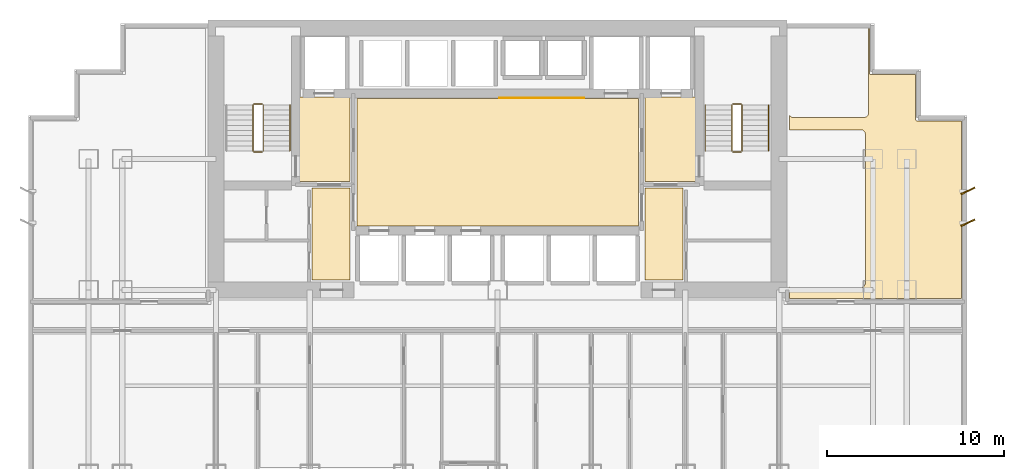
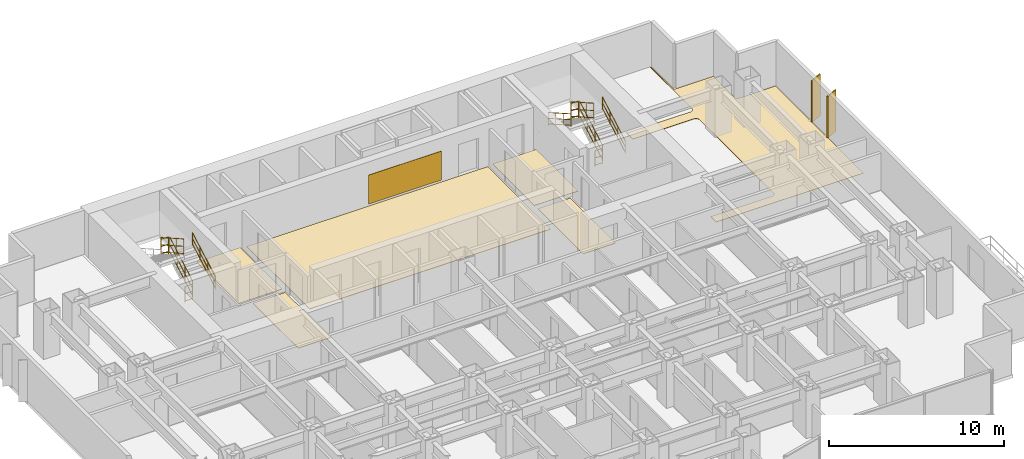
# One storey, part 10 of 10: 11 railings, 7 coverings, 2 shading devices.
"""IFC4 building model written with IfcOpenShell, lengths in metres."""

from ifc_helpers import new_model, si_unit, direction, frame, origin, origin_2d, place, context, subcontext, project, spatial, polyline, rectangle, circle, outline, extrude, source, transform, mapped, material, layer, layer_set, type_object, element, save


model = new_model("IFC4")

# Units and contexts
model_context = context("Model", 3, precision=1e-05, world=origin(), true_north=direction((0.0, 1.0)))
body_context = subcontext(model_context, "Body", "Model", "MODEL_VIEW")
ifc_project = project(units=[si_unit("LENGTHUNIT", "METRE"), si_unit("AREAUNIT", "SQUARE_METRE"), si_unit("VOLUMEUNIT", "CUBIC_METRE"), si_unit("PLANEANGLEUNIT", "RADIAN"), si_unit("MASSUNIT", "GRAM", prefix="KILO")], contexts=[model_context])

# Site, building, storey
site_placement = place(None, origin())
site = spatial("IfcSite", under=ifc_project, at=site_placement, CompositionType="ELEMENT")
building_placement = place(site_placement, origin())
building = spatial("IfcBuilding", under=site, at=building_placement, Name="Qianlan Lanfeng Residences", CompositionType="ELEMENT")
storey_placement = place(building_placement, frame((0.0, 0.0, 53.89990234375)))
storey = spatial("IfcBuildingStorey", under=building, at=storey_placement, Name="L14", CompositionType="ELEMENT", Elevation=53.89990234375)

# Coverings
ifc_material_1 = material(Name="Anodised Bronze Feature Wall Cladding")
ifc_layer_1 = layer(ifc_material_1, 0.02490234375)
ifc_layer_set_1 = layer_set([ifc_layer_1], Name="Anodised Bronze Feature Wall Cladding")
covering_type_1 = type_object("IfcCoveringType", Name="CLD-BRZ-25", PredefinedType="CLADDING", material=ifc_layer_set_1)
covering_1_placement = place(storey_placement, frame((0.0, 0.0, 0.150146484375)))
element("IfcCovering", 1, at=covering_1_placement, inside=storey, type_object=covering_type_1, Name="L14 Lift Lobby Bronze Feature Cladding", PredefinedType="CLADDING", context=body_context, shape_type="SweptSolid", body=[
    extrude(outline(polyline([(26.60009765625, 36.02490234375), (31.39990234375, 36.02490234375), (31.39990234375, 36.050048828125), (26.60009765625, 36.050048828125), (26.60009765625, 36.02490234375)])), origin(), (0.0, 0.0, 1.0), 2.02001953125),
])
ifc_material_2 = material(Name="Honed Taitung Granite Stone Flooring", Category="masonry")
ifc_layer_2 = layer(ifc_material_2, 0.030029296875)
ifc_layer_set_2 = layer_set([ifc_layer_2], Name="Honed Taitung Granite Stone Flooring")
covering_type_2 = type_object("IfcCoveringType", Name="FLR-STN-30", PredefinedType="FLOORING", material=ifc_layer_set_2)
covering_2_placement = place(storey_placement, origin())
element("IfcCovering", 2, at=covering_2_placement, inside=storey, type_object=covering_type_2, Name="L14 Firefighting Lift Lobby Floor Finish", PredefinedType="FLOORING", context=body_context, shape_type="SweptSolid", body=[
    extrude(outline(polyline([(15.2900390625, 31.320068359375), (18.179931640625, 31.320068359375), (18.179931640625, 36.110107421875), (15.2900390625, 36.110107421875), (15.2900390625, 31.320068359375)])), origin(), (0.0, 0.0, 1.0), 0.030029296875),
])
covering_3_placement = place(storey_placement, origin())
element("IfcCovering", 3, at=covering_3_placement, inside=storey, type_object=covering_type_2, Name="L14 Firefighting Lift Lobby Floor Finish", PredefinedType="FLOORING", context=body_context, shape_type="SweptSolid", body=[
    extrude(outline(polyline([(34.820068359375, 31.320068359375), (37.7099609375, 31.320068359375), (37.7099609375, 36.110107421875), (34.820068359375, 36.110107421875), (34.820068359375, 31.320068359375)])), origin(), (0.0, 0.0, 1.0), 0.030029296875),
])
covering_4_placement = place(storey_placement, origin())
element("IfcCovering", 4, at=covering_4_placement, inside=storey, type_object=covering_type_2, Name="L14 Lift Lobby Floor Finish", PredefinedType="FLOORING", context=body_context, shape_type="SweptSolid", body=[
    extrude(outline(polyline([(18.550048828125, 28.820068359375), (34.449951171875, 28.820068359375), (34.449951171875, 36.010009765625), (18.550048828125, 36.010009765625), (18.550048828125, 28.820068359375)])), origin(), (0.0, 0.0, 1.0), 0.030029296875),
])
covering_5_placement = place(storey_placement, origin())
element("IfcCovering", 5, at=covering_5_placement, inside=storey, type_object=covering_type_2, Name="L14 Lift Lobby Floor Finish", PredefinedType="FLOORING", context=body_context, shape_type="SweptSolid", body=[
    extrude(outline(polyline([(16.030029296875, 25.760009765625), (18.169921875, 25.760009765625), (18.169921875, 30.949951171875), (16.030029296875, 30.949951171875), (16.030029296875, 25.760009765625)])), origin(), (0.0, 0.0, 1.0), 0.030029296875),
])
covering_6_placement = place(storey_placement, origin())
element("IfcCovering", 6, at=covering_6_placement, inside=storey, type_object=covering_type_2, Name="L14 Lift Lobby Floor Finish", PredefinedType="FLOORING", context=body_context, shape_type="SweptSolid", body=[
    extrude(outline(polyline([(34.830078125, 25.760009765625), (36.969970703125, 25.760009765625), (36.969970703125, 30.949951171875), (34.830078125, 30.949951171875), (34.830078125, 25.760009765625)])), origin(), (0.0, 0.0, 1.0), 0.030029296875),
])
ifc_material_3 = material(Name="Engineered Smoked Oak Timber Flooring", Category="wood")
ifc_layer_3 = layer(ifc_material_3, 0.02197265625)
ifc_layer_set_3 = layer_set([ifc_layer_3], Name="Engineered Smoked Oak Timber Flooring")
covering_type_3 = type_object("IfcCoveringType", Name="FLR-TIM-22", PredefinedType="FLOORING", material=ifc_layer_set_3)
covering_7_placement = place(storey_placement, origin())
element("IfcCovering", 7, at=covering_7_placement, inside=storey, type_object=covering_type_3, Name="L14 Yoga Studio Floor Finish", PredefinedType="FLOORING", context=body_context, shape_type="SweptSolid", body=[
    extrude(outline(polyline([(43.0, 24.719970703125), (52.7099609375, 24.719970703125), (52.7099609375, 34.760009765625), (50.179931640625, 34.760009765625), (50.173095703125, 34.760009765625), (50.166015625, 34.760986328125), (50.159912109375, 34.762939453125), (50.153076171875, 34.764892578125), (50.14697265625, 34.76806640625), (50.14111328125, 34.77197265625), (50.135986328125, 34.77587890625), (50.131103515625, 34.781005859375), (50.1259765625, 34.785888671875), (50.1220703125, 34.791015625), (50.117919921875, 34.797119140625), (50.114990234375, 34.802978515625), (50.113037109375, 34.81005859375), (50.111083984375, 34.81591796875), (50.110107421875, 34.822998046875), (50.110107421875, 34.830078125), (50.110107421875, 37.360107421875), (47.580078125, 37.360107421875), (47.572998046875, 37.360107421875), (47.56591796875, 37.361083984375), (47.56005859375, 37.363037109375), (47.552978515625, 37.364990234375), (47.547119140625, 37.367919921875), (47.541015625, 37.3720703125), (47.535888671875, 37.3759765625), (47.531005859375, 37.381103515625), (47.52587890625, 37.385986328125), (47.52197265625, 37.39111328125), (47.51806640625, 37.39697265625), (47.514892578125, 37.403076171875), (47.512939453125, 37.409912109375), (47.510986328125, 37.416015625), (47.510009765625, 37.423095703125), (47.510009765625, 37.429931640625), (47.510009765625, 39.9599609375), (47.449951171875, 39.9599609375), (47.449951171875, 35.199951171875), (47.448974609375, 35.175048828125), (47.445068359375, 35.15087890625), (47.43896484375, 35.126953125), (47.430908203125, 35.10400390625), (47.419921875, 35.08203125), (47.407958984375, 35.06103515625), (47.39306640625, 35.041015625), (47.376953125, 35.02294921875), (47.35888671875, 35.007080078125), (47.339111328125, 34.991943359375), (47.318115234375, 34.97998046875), (47.2958984375, 34.968994140625), (47.27294921875, 34.9609375), (47.2490234375, 34.955078125), (47.22509765625, 34.950927734375), (47.199951171875, 34.949951171875), (43.199951171875, 34.949951171875), (43.175048828125, 34.950927734375), (43.15087890625, 34.955078125), (43.126953125, 34.9609375), (43.10400390625, 34.968994140625), (43.08203125, 34.97998046875), (43.06103515625, 34.991943359375), (43.041015625, 35.007080078125), (43.02294921875, 35.02294921875), (43.007080078125, 35.041015625), (43.0, 35.050048828125), (43.0, 34.237060546875), (43.007080078125, 34.239013671875), (43.031005859375, 34.2451171875), (43.054931640625, 34.2490234375), (43.080078125, 34.25), (47.02001953125, 34.25), (47.044921875, 34.2490234375), (47.069091796875, 34.2451171875), (47.093017578125, 34.239013671875), (47.115966796875, 34.23095703125), (47.137939453125, 34.219970703125), (47.158935546875, 34.2080078125), (47.178955078125, 34.193115234375), (47.197021484375, 34.177001953125), (47.212890625, 34.158935546875), (47.22802734375, 34.138916015625), (47.239990234375, 34.117919921875), (47.2509765625, 34.095947265625), (47.259033203125, 34.072998046875), (47.264892578125, 34.049072265625), (47.26904296875, 34.02490234375), (47.27001953125, 34.0), (47.27001953125, 25.60009765625), (47.26904296875, 25.574951171875), (47.264892578125, 25.551025390625), (47.259033203125, 25.527099609375), (47.2509765625, 25.50390625), (47.239990234375, 25.48193359375), (47.22802734375, 25.4609375), (47.212890625, 25.44091796875), (47.197021484375, 25.423095703125), (47.178955078125, 25.406982421875), (47.158935546875, 25.39208984375), (47.137939453125, 25.3798828125), (47.115966796875, 25.368896484375), (47.093017578125, 25.361083984375), (47.069091796875, 25.35498046875), (47.044921875, 25.35107421875), (47.02001953125, 25.35009765625), (43.080078125, 25.35009765625), (43.054931640625, 25.35107421875), (43.031005859375, 25.35498046875), (43.007080078125, 25.361083984375), (43.0, 25.363037109375), (43.0, 24.719970703125)])), origin(), (0.0, 0.0, 1.0), 0.022216796875),
])

# Railings
ifc_material_4 = material(Name="Painted Galvanised Steel Guardrail", Category="steel")
railing_type_1 = type_object("IfcRailingType", Name="GR-ST-1120", PredefinedType="GUARDRAIL", material=ifc_material_4)
railing_1_placement = place(storey_placement, frame((13.27001953125, 33.050048828125, 0.1650390625)))
element("IfcRailing", 8, at=railing_1_placement, inside=storey, type_object=railing_type_1, Name="L14 ST-1 stair guard 1", PredefinedType="GUARDRAIL", context=body_context, shape_type="SweptSolid", body=[
    extrude(circle(Radius=0.02392578125, at=origin_2d()), frame((0.0, 0.0, 0.083984375), z_axis=(0.0, 0.869137319866, 0.494570843475), x_axis=(-1.0, 0.0, 0.0)), (0.0, 0.0, 1.0), 3.0029296875),
    extrude(circle(Radius=0.02392578125, at=origin_2d()), frame((0.0, 0.0, 0.58251953125), z_axis=(0.0, 0.869137319866, 0.494570843475), x_axis=(-1.0, 0.0, 0.0)), (0.0, 0.0, 1.0), 3.0029296875),
    extrude(circle(Radius=0.02392578125, at=origin_2d()), frame((0.0, 0.0, 1.09619140625), z_axis=(0.0, 0.869137319866, 0.494570843475), x_axis=(-1.0, 0.0, 0.0)), (0.0, 0.0, 1.0), 3.0029296875),
    extrude(circle(Radius=0.02099609375, at=origin_2d()), origin(), (0.0, 0.0, 1.0), 1.072021484375),
    extrude(circle(Radius=0.02099609375, at=origin_2d()), frame((0.0, 0.869873046875, 0.4951171875)), (0.0, 0.0, 1.0), 1.072021484375),
    extrude(circle(Radius=0.02099609375, at=origin_2d()), frame((0.0, 1.739990234375, 0.989990234375)), (0.0, 0.0, 1.0), 1.072021484375),
    extrude(circle(Radius=0.02099609375, at=origin_2d()), frame((0.0, 2.60986328125, 1.485107421875)), (0.0, 0.0, 1.0), 1.072021484375),
])
railing_2_placement = place(storey_placement, frame((13.219970703125, 35.7099609375, 1.650146484375)))
element("IfcRailing", 9, at=railing_2_placement, inside=storey, type_object=railing_type_1, Name="L14 ST-1 stair guard 2", PredefinedType="GUARDRAIL", context=body_context, shape_type="SweptSolid", body=[
    extrude(circle(Radius=0.02392578125, at=origin_2d()), frame((0.0, 0.0, 0.083984375), z_axis=(-1.0, 0.0, 0.0), x_axis=(0.0, -1.0, 0.0)), (0.0, 0.0, 1.0), 0.47998046875),
    extrude(circle(Radius=0.02392578125, at=origin_2d()), frame((0.0, 0.0, 0.58251953125), z_axis=(-1.0, 0.0, 0.0), x_axis=(0.0, -1.0, 0.0)), (0.0, 0.0, 1.0), 0.47998046875),
    extrude(circle(Radius=0.02392578125, at=origin_2d()), frame((0.0, 0.0, 1.09619140625), z_axis=(-1.0, 0.0, 0.0), x_axis=(0.0, -1.0, 0.0)), (0.0, 0.0, 1.0), 0.47998046875),
    extrude(circle(Radius=0.02099609375, at=origin_2d()), origin(), (0.0, 0.0, 1.0), 1.072021484375),
    extrude(circle(Radius=0.02099609375, at=origin_2d()), frame((-0.47998046875, 0.0, 0.0)), (0.0, 0.0, 1.0), 1.072021484375),
])
railing_3_placement = place(storey_placement, frame((12.68994140625, 35.659912109375, 1.815185546875)))
element("IfcRailing", 10, at=railing_3_placement, inside=storey, type_object=railing_type_1, Name="L14 ST-1 stair guard 3", PredefinedType="GUARDRAIL", context=body_context, shape_type="SweptSolid", body=[
    extrude(circle(Radius=0.02392578125, at=origin_2d()), frame((0.0, 0.0, 0.083984375), z_axis=(0.0, -0.869172267526, 0.494509422927), x_axis=(1.0, 0.0, 0.0)), (0.0, 0.0, 1.0), 3.002685546875),
    extrude(circle(Radius=0.02392578125, at=origin_2d()), frame((0.0, 0.0, 0.58251953125), z_axis=(0.0, -0.869172267526, 0.494509422927), x_axis=(1.0, 0.0, 0.0)), (0.0, 0.0, 1.0), 3.002685546875),
    extrude(circle(Radius=0.02392578125, at=origin_2d()), frame((0.0, 0.0, 1.09619140625), z_axis=(0.0, -0.869172267526, 0.494509422927), x_axis=(1.0, 0.0, 0.0)), (0.0, 0.0, 1.0), 3.002685546875),
    extrude(circle(Radius=0.02099609375, at=origin_2d()), origin(), (0.0, 0.0, 1.0), 1.072021484375),
    extrude(circle(Radius=0.02099609375, at=origin_2d()), frame((0.0, -0.869873046875, 0.494873046875)), (0.0, 0.0, 1.0), 1.072021484375),
    extrude(circle(Radius=0.02099609375, at=origin_2d()), frame((0.0, -1.739990234375, 0.989990234375)), (0.0, 0.0, 1.0), 1.072021484375),
    extrude(circle(Radius=0.02099609375, at=origin_2d()), frame((0.0, -2.60986328125, 1.48486328125)), (0.0, 0.0, 1.0), 1.072021484375),
])
railing_4_placement = place(storey_placement, frame((13.219970703125, 33.0, 0.0)))
element("IfcRailing", 11, at=railing_4_placement, inside=storey, type_object=railing_type_1, Name="L14 ST-1 stair guard 4", PredefinedType="GUARDRAIL", context=body_context, shape_type="SweptSolid", body=[
    extrude(circle(Radius=0.02392578125, at=origin_2d()), frame((0.0, 0.0, 0.083984375), z_axis=(-1.0, 0.0, 0.0), x_axis=(0.0, -1.0, 0.0)), (0.0, 0.0, 1.0), 0.47998046875),
    extrude(circle(Radius=0.02392578125, at=origin_2d()), frame((0.0, 0.0, 0.58251953125), z_axis=(-1.0, 0.0, 0.0), x_axis=(0.0, -1.0, 0.0)), (0.0, 0.0, 1.0), 0.47998046875),
    extrude(circle(Radius=0.02392578125, at=origin_2d()), frame((0.0, 0.0, 1.09619140625), z_axis=(-1.0, 0.0, 0.0), x_axis=(0.0, -1.0, 0.0)), (0.0, 0.0, 1.0), 0.47998046875),
    extrude(circle(Radius=0.02099609375, at=origin_2d()), origin(), (0.0, 0.0, 1.0), 1.072021484375),
    extrude(circle(Radius=0.02099609375, at=origin_2d()), frame((-0.47998046875, 0.0, 0.0)), (0.0, 0.0, 1.0), 1.072021484375),
])
railing_5_placement = place(storey_placement, frame((40.31005859375, 33.050048828125, 0.1650390625)))
element("IfcRailing", 12, at=railing_5_placement, inside=storey, type_object=railing_type_1, Name="L14 ST-2 stair guard 1", PredefinedType="GUARDRAIL", context=body_context, shape_type="SweptSolid", body=[
    extrude(circle(Radius=0.02392578125, at=origin_2d()), frame((0.0, 0.0, 0.083984375), z_axis=(0.0, 0.869137319866, 0.494570843475), x_axis=(-1.0, 0.0, 0.0)), (0.0, 0.0, 1.0), 3.0029296875),
    extrude(circle(Radius=0.02392578125, at=origin_2d()), frame((0.0, 0.0, 0.58251953125), z_axis=(0.0, 0.869137319866, 0.494570843475), x_axis=(-1.0, 0.0, 0.0)), (0.0, 0.0, 1.0), 3.0029296875),
    extrude(circle(Radius=0.02392578125, at=origin_2d()), frame((0.0, 0.0, 1.09619140625), z_axis=(0.0, 0.869137319866, 0.494570843475), x_axis=(-1.0, 0.0, 0.0)), (0.0, 0.0, 1.0), 3.0029296875),
    extrude(circle(Radius=0.02099609375, at=origin_2d()), origin(), (0.0, 0.0, 1.0), 1.072021484375),
    extrude(circle(Radius=0.02099609375, at=origin_2d()), frame((0.0, 0.869873046875, 0.4951171875)), (0.0, 0.0, 1.0), 1.072021484375),
    extrude(circle(Radius=0.02099609375, at=origin_2d()), frame((0.0, 1.739990234375, 0.989990234375)), (0.0, 0.0, 1.0), 1.072021484375),
    extrude(circle(Radius=0.02099609375, at=origin_2d()), frame((0.0, 2.60986328125, 1.485107421875)), (0.0, 0.0, 1.0), 1.072021484375),
])
railing_6_placement = place(storey_placement, frame((40.260009765625, 35.7099609375, 1.650146484375)))
element("IfcRailing", 13, at=railing_6_placement, inside=storey, type_object=railing_type_1, Name="L14 ST-2 stair guard 2", PredefinedType="GUARDRAIL", context=body_context, shape_type="SweptSolid", body=[
    extrude(circle(Radius=0.02392578125, at=origin_2d()), frame((0.0, 0.0, 0.083984375), z_axis=(-1.0, 0.0, 0.0), x_axis=(0.0, -1.0, 0.0)), (0.0, 0.0, 1.0), 0.47998046875),
    extrude(circle(Radius=0.02392578125, at=origin_2d()), frame((0.0, 0.0, 0.58251953125), z_axis=(-1.0, 0.0, 0.0), x_axis=(0.0, -1.0, 0.0)), (0.0, 0.0, 1.0), 0.47998046875),
    extrude(circle(Radius=0.02392578125, at=origin_2d()), frame((0.0, 0.0, 1.09619140625), z_axis=(-1.0, 0.0, 0.0), x_axis=(0.0, -1.0, 0.0)), (0.0, 0.0, 1.0), 0.47998046875),
    extrude(circle(Radius=0.02099609375, at=origin_2d()), origin(), (0.0, 0.0, 1.0), 1.072021484375),
    extrude(circle(Radius=0.02099609375, at=origin_2d()), frame((-0.47998046875, 0.0, 0.0)), (0.0, 0.0, 1.0), 1.072021484375),
])
railing_7_placement = place(storey_placement, frame((39.72998046875, 35.659912109375, 1.815185546875)))
element("IfcRailing", 14, at=railing_7_placement, inside=storey, type_object=railing_type_1, Name="L14 ST-2 stair guard 3", PredefinedType="GUARDRAIL", context=body_context, shape_type="SweptSolid", body=[
    extrude(circle(Radius=0.02392578125, at=origin_2d()), frame((0.0, 0.0, 0.083984375), z_axis=(0.0, -0.869172267526, 0.494509422927), x_axis=(1.0, 0.0, 0.0)), (0.0, 0.0, 1.0), 3.002685546875),
    extrude(circle(Radius=0.02392578125, at=origin_2d()), frame((0.0, 0.0, 0.58251953125), z_axis=(0.0, -0.869172267526, 0.494509422927), x_axis=(1.0, 0.0, 0.0)), (0.0, 0.0, 1.0), 3.002685546875),
    extrude(circle(Radius=0.02392578125, at=origin_2d()), frame((0.0, 0.0, 1.09619140625), z_axis=(0.0, -0.869172267526, 0.494509422927), x_axis=(1.0, 0.0, 0.0)), (0.0, 0.0, 1.0), 3.002685546875),
    extrude(circle(Radius=0.02099609375, at=origin_2d()), origin(), (0.0, 0.0, 1.0), 1.072021484375),
    extrude(circle(Radius=0.02099609375, at=origin_2d()), frame((0.0, -0.869873046875, 0.494873046875)), (0.0, 0.0, 1.0), 1.072021484375),
    extrude(circle(Radius=0.02099609375, at=origin_2d()), frame((0.0, -1.739990234375, 0.989990234375)), (0.0, 0.0, 1.0), 1.072021484375),
    extrude(circle(Radius=0.02099609375, at=origin_2d()), frame((0.0, -2.60986328125, 1.48486328125)), (0.0, 0.0, 1.0), 1.072021484375),
])
railing_8_placement = place(storey_placement, frame((40.260009765625, 33.0, 0.0)))
element("IfcRailing", 15, at=railing_8_placement, inside=storey, type_object=railing_type_1, Name="L14 ST-2 stair guard 4", PredefinedType="GUARDRAIL", context=body_context, shape_type="SweptSolid", body=[
    extrude(circle(Radius=0.02392578125, at=origin_2d()), frame((0.0, 0.0, 0.083984375), z_axis=(-1.0, 0.0, 0.0), x_axis=(0.0, -1.0, 0.0)), (0.0, 0.0, 1.0), 0.47998046875),
    extrude(circle(Radius=0.02392578125, at=origin_2d()), frame((0.0, 0.0, 0.58251953125), z_axis=(-1.0, 0.0, 0.0), x_axis=(0.0, -1.0, 0.0)), (0.0, 0.0, 1.0), 0.47998046875),
    extrude(circle(Radius=0.02392578125, at=origin_2d()), frame((0.0, 0.0, 1.09619140625), z_axis=(-1.0, 0.0, 0.0), x_axis=(0.0, -1.0, 0.0)), (0.0, 0.0, 1.0), 0.47998046875),
    extrude(circle(Radius=0.02099609375, at=origin_2d()), origin(), (0.0, 0.0, 1.0), 1.072021484375),
    extrude(circle(Radius=0.02099609375, at=origin_2d()), frame((-0.47998046875, 0.0, 0.0)), (0.0, 0.0, 1.0), 1.072021484375),
])
ifc_material_5 = material(Name="Brushed Stainless Steel Handrail", Category="steel")
railing_type_2 = type_object("IfcRailingType", Name="HR-ST-920", PredefinedType="HANDRAIL", material=ifc_material_5)
for number, where, name in (
    (16, (14.77001953125, 33.050048828125, 0.1650390625), "L14 ST-1 stair handrail 1"),
    (17, (41.81005859375, 33.050048828125, 0.1650390625), "L14 ST-2 stair handrail 1"),
):
    element("IfcRailing", number, at=place(storey_placement, frame(where)), inside=storey, type_object=railing_type_2, Name=name, PredefinedType="HANDRAIL", context=body_context, shape_type="SweptSolid", body=[
        extrude(circle(Radius=0.02392578125, at=origin_2d()), frame((0.0, 0.0, 0.083984375), z_axis=(0.0, 0.869137319866, 0.494570843475), x_axis=(-1.0, 0.0, 0.0)), (0.0, 0.0, 1.0), 3.0029296875),
        extrude(circle(Radius=0.02392578125, at=origin_2d()), frame((0.0, 0.0, 0.468017578125), z_axis=(0.0, 0.869137319866, 0.494570843475), x_axis=(-1.0, 0.0, 0.0)), (0.0, 0.0, 1.0), 3.0029296875),
        extrude(circle(Radius=0.02392578125, at=origin_2d()), frame((0.0, 0.0, 0.8759765625), z_axis=(0.0, 0.869137319866, 0.494570843475), x_axis=(-1.0, 0.0, 0.0)), (0.0, 0.0, 1.0), 3.0029296875),
        extrude(circle(Radius=0.02099609375, at=origin_2d()), origin(), (0.0, 0.0, 1.0), 0.851806640625),
        extrude(circle(Radius=0.02099609375, at=origin_2d()), frame((0.0, 0.869873046875, 0.4951171875)), (0.0, 0.0, 1.0), 0.851806640625),
        extrude(circle(Radius=0.02099609375, at=origin_2d()), frame((0.0, 1.739990234375, 0.989990234375)), (0.0, 0.0, 1.0), 0.851806640625),
        extrude(circle(Radius=0.02099609375, at=origin_2d()), frame((0.0, 2.60986328125, 1.485107421875)), (0.0, 0.0, 1.0), 0.851806640625),
    ])
railing_9_placement = place(storey_placement, frame((38.22998046875, 35.659912109375, 1.815185546875)))
element("IfcRailing", 18, at=railing_9_placement, inside=storey, type_object=railing_type_2, Name="L14 ST-2 stair handrail 2", PredefinedType="HANDRAIL", context=body_context, shape_type="SweptSolid", body=[
    extrude(circle(Radius=0.02392578125, at=origin_2d()), frame((0.0, 0.0, 0.083984375), z_axis=(0.0, -0.869172267526, 0.494509422927), x_axis=(1.0, 0.0, 0.0)), (0.0, 0.0, 1.0), 3.002685546875),
    extrude(circle(Radius=0.02392578125, at=origin_2d()), frame((0.0, 0.0, 0.468017578125), z_axis=(0.0, -0.869172267526, 0.494509422927), x_axis=(1.0, 0.0, 0.0)), (0.0, 0.0, 1.0), 3.002685546875),
    extrude(circle(Radius=0.02392578125, at=origin_2d()), frame((0.0, 0.0, 0.8759765625), z_axis=(0.0, -0.869172267526, 0.494509422927), x_axis=(1.0, 0.0, 0.0)), (0.0, 0.0, 1.0), 3.002685546875),
    extrude(circle(Radius=0.02099609375, at=origin_2d()), origin(), (0.0, 0.0, 1.0), 0.851806640625),
    extrude(circle(Radius=0.02099609375, at=origin_2d()), frame((0.0, -0.869873046875, 0.494873046875)), (0.0, 0.0, 1.0), 0.851806640625),
    extrude(circle(Radius=0.02099609375, at=origin_2d()), frame((0.0, -1.739990234375, 0.989990234375)), (0.0, 0.0, 1.0), 0.851806640625),
    extrude(circle(Radius=0.02099609375, at=origin_2d()), frame((0.0, -2.60986328125, 1.48486328125)), (0.0, 0.0, 1.0), 0.851806640625),
])

# Shading devices
ifc_material_6 = material(Name="Anodised Bronze Aluminium Solar Fin", Category="aluminium")
shading_device_type = type_object("IfcShadingDeviceType", Name="FIN-BRZ-850", PredefinedType="SHUTTER", material=ifc_material_6)
shared_shape = source(origin(), body_context, "Body", "SweptSolid", [
    extrude(rectangle(XDim=0.85009765625, YDim=0.080078125, at=origin_2d()), origin(), (0.0, 0.0, 1.0), 2.89990234375),
])
for number, where, z_axis, x_axis, name in (
    (19, (53.070068359375, 29.0, 0.000244140625), (0.0, 0.0, 1.0), (0.898794046299, 0.438371146789, 0.0), "L14 Raked Bronze Solar Fin E1"),
    (20, (53.070068359375, 30.800048828125, 0.000244140625), (0.0, 0.0, 1.0), (0.898794046299, 0.438371146789, 0.0), "L14 Raked Bronze Solar Fin E2"),
):
    element("IfcShadingDevice", number, at=place(storey_placement, frame(where, z_axis=z_axis, x_axis=x_axis)), inside=storey, type_object=shading_device_type, Name=name, PredefinedType="SHUTTER", context=body_context, shape_type="MappedRepresentation", body=[
        mapped(shared_shape, transform((0.0, 0.0, 0.0), scale=1.0)),
    ])

save(model, "model.ifc")
